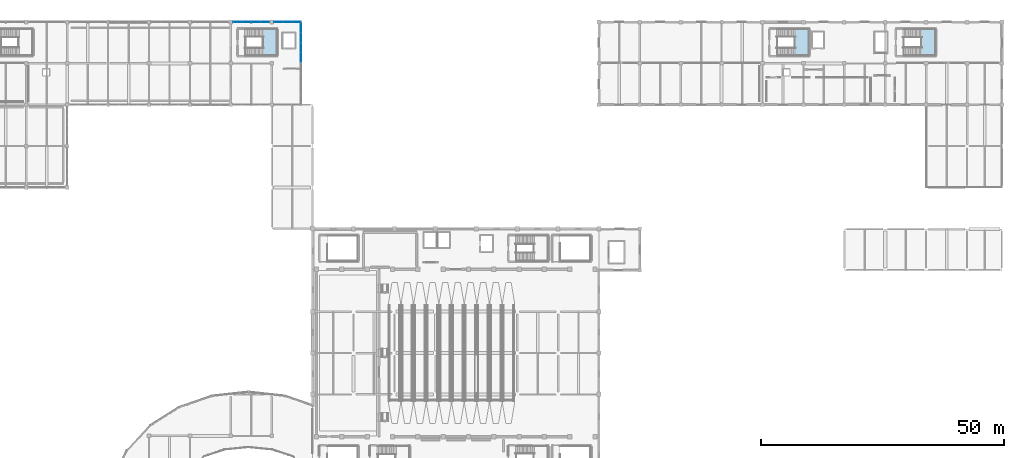
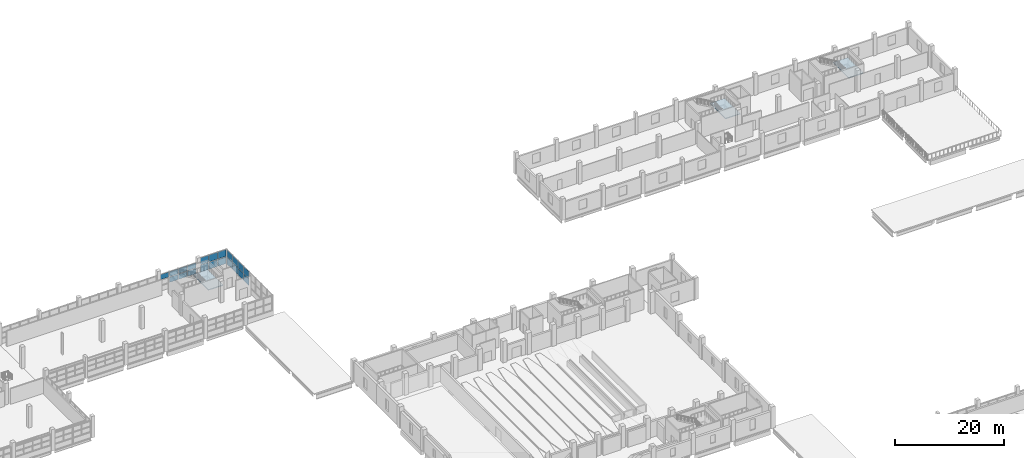
# One storey, part 95 of 117: 21 plates, 3 slabs, 6 elements without a shape of their own.
"""IFC4 building model written with IfcOpenShell, lengths in metres."""

import ifcopenshell
import ifcopenshell.guid

model = None  # the IFC model being written
_history = None  # IfcOwnerHistory: only IFC2X3 demands one
_inside = {}  # id of a spatial element -> (the spatial element, [elements in it])
_under = {}  # id of a project, library or spatial element -> (it, [spatial elements below it])
_declared = {}  # id of a project -> (the project, [libraries it declares])
_typed = {}  # id of a type object -> (the type object, [elements of that type])
_made_of = {}  # id of a material, layer set ... -> (it, [elements and type objects made of it])


def new_model(schema):
    """Start an empty IFC model of exactly this schema.

    Asked for "IFC4X3", IfcOpenShell would pick the latest addendum, in which some entities
    have other attributes; the version numbers below select the first issue.
    IFC2X3 requires an IfcOwnerHistory on every rooted entity: one is made here for all.
    """
    global model, _history
    if schema == "IFC4X3":
        model = ifcopenshell.file(schema_version=(4, 3, 0, 0))
    else:
        model = ifcopenshell.file(schema=schema)
    _inside.clear()
    _under.clear()
    _declared.clear()
    _typed.clear()
    _made_of.clear()
    _history = None
    if model.schema == "IFC2X3":
        org = make("IfcOrganization", Name="unknown")
        user = make(
            "IfcPersonAndOrganization",
            ThePerson=make("IfcPerson", FamilyName="unknown"),
            TheOrganization=org,
        )
        app = make(
            "IfcApplication",
            ApplicationDeveloper=org,
            Version="unknown",
            ApplicationFullName="unknown",
            ApplicationIdentifier="unknown",
        )
        _history = make(
            "IfcOwnerHistory",
            OwningUser=user,
            OwningApplication=app,
            ChangeAction="ADDED",
            CreationDate=0,
        )
    return model


def make(cls, **values):
    """One entity of the class cls with the attributes given. An attribute that is None is left unset."""
    return model.create_entity(
        cls, **{name: value for name, value in values.items() if value is not None}
    )


def rooted(cls, **values):
    """An entity with a GlobalId (a new one), such as an element, a storey or a relation."""
    return make(cls, GlobalId=ifcopenshell.guid.new(), OwnerHistory=_history, **values)


def si_unit(unit_type, name, prefix=None):
    """IfcSIUnit, for example si_unit("LENGTHUNIT", "METRE", prefix="MILLI")."""
    return make("IfcSIUnit", UnitType=unit_type, Prefix=prefix, Name=name)


def assignment(units):
    """IfcUnitAssignment: the units of a project."""
    return None if units is None else make("IfcUnitAssignment", Units=units)


def point(xyz):
    """IfcCartesianPoint."""
    return None if xyz is None else make("IfcCartesianPoint", Coordinates=xyz)


def direction(xyz):
    """IfcDirection."""
    return None if xyz is None else make("IfcDirection", DirectionRatios=xyz)


def frame(location, z_axis=None, x_axis=None):
    """IfcAxis2Placement3D, a coordinate frame: its origin and axes. An axis left out is left unset."""
    return make(
        "IfcAxis2Placement3D",
        Location=point(location),
        Axis=direction(z_axis),
        RefDirection=direction(x_axis),
    )


def frame_2d(location, x_axis=None):
    """IfcAxis2Placement2D, a coordinate frame in the plane: its origin and x axis."""
    return make(
        "IfcAxis2Placement2D", Location=point(location), RefDirection=direction(x_axis)
    )


def origin():
    """The frame at (0, 0, 0) with its axes left unset."""
    return frame((0.0, 0.0, 0.0))


def origin_2d():
    """The frame at (0, 0) in the plane with its x axis left unset."""
    return frame_2d((0.0, 0.0))


def place(relative_to, where):
    """IfcLocalPlacement: puts the frame where relative to a parent placement (None: the world)."""
    return make(
        "IfcLocalPlacement", PlacementRelTo=relative_to, RelativePlacement=where
    )


def context(
    kind, dimensions, precision=None, world=None, true_north=None, identifier=None
):
    """IfcGeometricRepresentationContext, for example the 3D "Model" context."""
    return make(
        "IfcGeometricRepresentationContext",
        ContextIdentifier=identifier,
        ContextType=kind,
        CoordinateSpaceDimension=dimensions,
        Precision=precision,
        WorldCoordinateSystem=world,
        TrueNorth=true_north,
    )


def subcontext(parent, identifier, kind, view, scale=None):
    """IfcGeometricRepresentationSubContext, for example "Body" below "Model"."""
    return make(
        "IfcGeometricRepresentationSubContext",
        ContextIdentifier=identifier,
        ContextType=kind,
        ParentContext=parent,
        TargetScale=scale,
        TargetView=view,
    )


def project(units=None, contexts=None):
    """IfcProject with its units and contexts."""
    return rooted(
        "IfcProject",
        Name="project",
        RepresentationContexts=contexts,
        UnitsInContext=assignment(units),
    )


def spatial(cls, under=None, at=None, **own):
    """A site, building, storey or space (cls), placed at a placement, below another one or the project."""
    s = rooted(cls, ObjectPlacement=at, **own)
    if under is not None:
        _under.setdefault(under.id(), (under, []))[1].append(s)
    return s


def polyline(points):
    """IfcPolyline through the points."""
    return make("IfcPolyline", Points=[point(p) for p in points])


def profile(cls, at=None, kind="AREA", **sizes):
    """A parametric profile (cls). Its sizes go by their IFC names, for example OverallWidth=200.0."""
    return make(cls, ProfileType=kind, Position=at, **sizes)


def rectangle(**sizes):
    """IfcRectangleProfileDef."""
    return profile("IfcRectangleProfileDef", **sizes)


def outline(outer, holes=None, kind="AREA"):
    """IfcArbitraryClosedProfileDef: a profile drawn as a closed curve; with holes, ...WithVoids."""
    if holes is None:
        return make("IfcArbitraryClosedProfileDef", ProfileType=kind, OuterCurve=outer)
    return make(
        "IfcArbitraryProfileDefWithVoids",
        ProfileType=kind,
        OuterCurve=outer,
        InnerCurves=holes,
    )


def extrude(swept, where, along, depth):
    """IfcExtrudedAreaSolid: the profile swept, set in the frame where, extruded along a direction by depth."""
    return make(
        "IfcExtrudedAreaSolid",
        SweptArea=swept,
        Position=where,
        ExtrudedDirection=direction(along),
        Depth=depth,
    )


def shape(context_of_items, identifier, shape_type, items):
    """IfcShapeRepresentation: the items that make up one representation, for example the "Body"."""
    return make(
        "IfcShapeRepresentation",
        ContextOfItems=context_of_items,
        RepresentationIdentifier=identifier,
        RepresentationType=shape_type,
        Items=items,
    )


def material(Name=None, Category=None):
    """IfcMaterial."""
    return make("IfcMaterial", Name=Name, Category=Category)


def layer(
    of_material, thickness, ventilated=None, Name=None, Category=None, Priority=None
):
    """IfcMaterialLayer: one layer of a wall or slab, of a material (None: an air gap)."""
    return make(
        "IfcMaterialLayer",
        Material=of_material,
        LayerThickness=thickness,
        IsVentilated=ventilated,
        Name=Name,
        Category=Category,
        Priority=Priority,
    )


def layer_set(layers, Name=None):
    """IfcMaterialLayerSet."""
    return make("IfcMaterialLayerSet", MaterialLayers=layers, LayerSetName=Name)


def made_of(thing, what):
    """Note that an element or type object is made of a material, layer set ...; save() writes the relation."""
    if what is not None:
        _made_of.setdefault(what.id(), (what, []))[1].append(thing)
    return thing


def type_object(cls, material=None, **own):
    """A type object (cls), such as IfcWallType, which elements share."""
    return made_of(rooted(cls, **own), material)


def element(
    cls,
    number,
    at=None,
    inside=None,
    cuts=None,
    type_object=None,
    material=None,
    context=None,
    identifier="Body",
    shape_type=None,
    held_by="IfcProductDefinitionShape",
    body=None,
    shapes=None,
    **own,
):
    """One element of the class cls, such as IfcWall. Its Tag is "e" and its number.

    at: its placement. inside: the storey or other place that contains it. cuts: it is an
    opening in that element (IfcRelVoidsElement). A single representation is given by context,
    identifier, shape_type and body (its items); several are given by shapes. held_by: the class
    of the entity that holds the representations. save() writes the other relations.
    """
    e = rooted(cls, Tag="e%d" % number, ObjectPlacement=at, **own)
    if body is not None:
        shapes = [shape(context, identifier, shape_type, body)]
    if shapes is not None:
        e.Representation = make(held_by, Representations=shapes)
    if inside is not None:
        _inside.setdefault(inside.id(), (inside, []))[1].append(e)
    if cuts is not None:
        rooted(
            "IfcRelVoidsElement", RelatingBuildingElement=cuts, RelatedOpeningElement=e
        )
    if type_object is not None:
        _typed.setdefault(type_object.id(), (type_object, []))[1].append(e)
    return made_of(e, material)


def aggregate(whole, parts):
    """IfcRelAggregates: a whole, such as a stair, and the parts it consists of."""
    return rooted("IfcRelAggregates", RelatingObject=whole, RelatedObjects=parts)


def save(model, path):
    """Write the relations noted so far, then the file.

    IfcRelAggregates (storeys below a building ...), IfcRelContainedInSpatialStructure (elements
    in a storey), IfcRelDefinesByType, IfcRelAssociatesMaterial and IfcRelDeclares: one each for
    every whole, place, type object, material and project.
    """
    for whole, parts in _under.values():
        aggregate(whole, parts)
    for where, things in _inside.values():
        rooted(
            "IfcRelContainedInSpatialStructure",
            RelatedElements=things,
            RelatingStructure=where,
        )
    for kind, things in _typed.values():
        rooted("IfcRelDefinesByType", RelatedObjects=things, RelatingType=kind)
    for what, things in _made_of.values():
        rooted("IfcRelAssociatesMaterial", RelatedObjects=things, RelatingMaterial=what)
    for by, libraries in _declared.values():
        rooted("IfcRelDeclares", RelatingContext=by, RelatedDefinitions=libraries)
    model.write(path)


model = new_model("IFC4")

# Units and contexts
model_context = context("Model", 3, precision=1e-05, world=origin(), true_north=direction((0.0, 1.0)))
body_context = subcontext(model_context, "Body", "Model", "MODEL_VIEW")
ifc_project = project(units=[si_unit("LENGTHUNIT", "METRE"), si_unit("AREAUNIT", "SQUARE_METRE"), si_unit("VOLUMEUNIT", "CUBIC_METRE"), si_unit("PLANEANGLEUNIT", "RADIAN"), si_unit("MASSUNIT", "GRAM", prefix="KILO")], contexts=[model_context])

# Site, building, storey
site_placement = place(None, origin())
site = spatial("IfcSite", under=ifc_project, at=site_placement, CompositionType="ELEMENT")
building_placement = place(site_placement, origin())
building = spatial("IfcBuilding", under=site, at=building_placement, Name="Solvento Point Concert Hall", CompositionType="ELEMENT")
storey_placement = place(building_placement, frame((0.0, 0.0, 5.39990234375)))
storey = spatial("IfcBuildingStorey", under=building, at=storey_placement, Name="L01", CompositionType="ELEMENT", Elevation=5.39990234375)

# Curtain wall, plates
ifc_material_1 = material(Name="Anodized Bronze Aluminium", Category="aluminium")
curtain_wall_type = type_object("IfcCurtainWallType", Name="CurtainWall_CourtPilotis", PredefinedType="USERDEFINED", material=ifc_material_1)
curtain_wall_1_placement = place(storey_placement, origin())
curtain_wall_1 = element("IfcCurtainWall", 1, at=curtain_wall_1_placement, inside=storey, type_object=curtain_wall_type, Name="Unitised curtain wall CW-96 UCW-L01-130", ObjectType="UNITISED CURTAIN WALL", PredefinedType="USERDEFINED")
ifc_material_2 = material(Name="Hurricane Laminated Low-E Glass", Category="glass")
plate_type = type_object("IfcPlateType", Name="CurtainPanel_CourtPilotis", PredefinedType="CURTAIN_PANEL", material=ifc_material_2)
plate_1_placement = place(storey_placement, frame((58.96875, 136.0, 2.4921875), z_axis=(0.0, 0.0, 1.0), x_axis=(1.0, 0.0, 0.0)))
plate_1 = element("IfcPlate", 2, at=plate_1_placement, type_object=plate_type, Name="Glazed curtain panel GL-06", PredefinedType="CURTAIN_PANEL", context=body_context, shape_type="SweptSolid", body=[
    extrude(rectangle(XDim=1.767578125, YDim=0.030029296875, at=origin_2d()), origin(), (0.0, 0.0, 1.0), 1.132080078125),
])
plate_2_placement = place(storey_placement, frame((60.856201171875, 136.0, 1.240234375), z_axis=(0.0, 0.0, 1.0), x_axis=(1.0, 0.0, 0.0)))
plate_2 = element("IfcPlate", 3, at=plate_2_placement, type_object=plate_type, Name="Glazed curtain panel GL-06", PredefinedType="CURTAIN_PANEL", context=body_context, shape_type="SweptSolid", body=[
    extrude(rectangle(XDim=1.767578125, YDim=0.030029296875, at=origin_2d()), origin(), (0.0, 0.0, 1.0), 1.132080078125),
])
plate_3_placement = place(storey_placement, frame((60.856201171875, 136.0, 2.4921875), z_axis=(0.0, 0.0, 1.0), x_axis=(1.0, 0.0, 0.0)))
plate_3 = element("IfcPlate", 4, at=plate_3_placement, type_object=plate_type, Name="Glazed curtain panel GL-06", PredefinedType="CURTAIN_PANEL", context=body_context, shape_type="SweptSolid", body=[
    extrude(rectangle(XDim=1.767578125, YDim=0.030029296875, at=origin_2d()), origin(), (0.0, 0.0, 1.0), 1.132080078125),
])
plate_4_placement = place(storey_placement, frame((62.74365234375, 136.0, 1.240234375), z_axis=(0.0, 0.0, 1.0), x_axis=(1.0, 0.0, 0.0)))
plate_4 = element("IfcPlate", 5, at=plate_4_placement, type_object=plate_type, Name="Glazed curtain panel GL-06", PredefinedType="CURTAIN_PANEL", context=body_context, shape_type="SweptSolid", body=[
    extrude(rectangle(XDim=1.767578125, YDim=0.030029296875, at=origin_2d()), origin(), (0.0, 0.0, 1.0), 1.132080078125),
])
plate_5_placement = place(storey_placement, frame((62.74365234375, 136.0, 2.4921875), z_axis=(0.0, 0.0, 1.0), x_axis=(1.0, 0.0, 0.0)))
plate_5 = element("IfcPlate", 6, at=plate_5_placement, type_object=plate_type, Name="Glazed curtain panel GL-06", PredefinedType="CURTAIN_PANEL", context=body_context, shape_type="SweptSolid", body=[
    extrude(rectangle(XDim=1.767578125, YDim=0.030029296875, at=origin_2d()), origin(), (0.0, 0.0, 1.0), 1.132080078125),
])
plate_6_placement = place(storey_placement, frame((64.63134765625, 136.0, 1.240234375), z_axis=(0.0, 0.0, 1.0), x_axis=(1.0, 0.0, 0.0)))
plate_6 = element("IfcPlate", 7, at=plate_6_placement, type_object=plate_type, Name="Glazed curtain panel GL-06", PredefinedType="CURTAIN_PANEL", context=body_context, shape_type="SweptSolid", body=[
    extrude(rectangle(XDim=1.767578125, YDim=0.030029296875, at=origin_2d()), origin(), (0.0, 0.0, 1.0), 1.132080078125),
])
plate_7_placement = place(storey_placement, frame((64.63134765625, 136.0, 2.4921875), z_axis=(0.0, 0.0, 1.0), x_axis=(1.0, 0.0, 0.0)))
plate_7 = element("IfcPlate", 8, at=plate_7_placement, type_object=plate_type, Name="Glazed curtain panel GL-06", PredefinedType="CURTAIN_PANEL", context=body_context, shape_type="SweptSolid", body=[
    extrude(rectangle(XDim=1.767578125, YDim=0.030029296875, at=origin_2d()), origin(), (0.0, 0.0, 1.0), 1.132080078125),
])
aggregate(curtain_wall_1, [plate_1, plate_2, plate_3, plate_4, plate_5, plate_6, plate_7])

curtain_wall_2_placement = place(storey_placement, origin())
curtain_wall_2 = element("IfcCurtainWall", 9, at=curtain_wall_2_placement, inside=storey, type_object=curtain_wall_type, Name="Unitised curtain wall CW-96 UCW-L01-131", ObjectType="UNITISED CURTAIN WALL", PredefinedType="USERDEFINED")
plate_8_placement = place(storey_placement, frame((67.34912109375, 136.0, 1.240234375), z_axis=(0.0, 0.0, 1.0), x_axis=(1.0, 0.0, 0.0)))
plate_8 = element("IfcPlate", 10, at=plate_8_placement, type_object=plate_type, Name="Glazed curtain panel GL-06", PredefinedType="CURTAIN_PANEL", context=body_context, shape_type="SweptSolid", body=[
    extrude(rectangle(XDim=1.728271484375, YDim=0.030029296875, at=origin_2d()), origin(), (0.0, 0.0, 1.0), 1.52490234375),
])
plate_9_placement = place(storey_placement, frame((67.34912109375, 136.0, 2.88525390625), z_axis=(0.0, 0.0, 1.0), x_axis=(1.0, 0.0, 0.0)))
plate_9 = element("IfcPlate", 11, at=plate_9_placement, type_object=plate_type, Name="Glazed curtain panel GL-06", PredefinedType="CURTAIN_PANEL", context=body_context, shape_type="SweptSolid", body=[
    extrude(rectangle(XDim=1.728271484375, YDim=0.030029296875, at=origin_2d()), origin(), (0.0, 0.0, 1.0), 1.52490234375),
])
plate_10_placement = place(storey_placement, frame((69.197509765625, 136.0, 1.240234375), z_axis=(0.0, 0.0, 1.0), x_axis=(1.0, 0.0, 0.0)))
plate_10 = element("IfcPlate", 12, at=plate_10_placement, type_object=plate_type, Name="Glazed curtain panel GL-06", PredefinedType="CURTAIN_PANEL", context=body_context, shape_type="SweptSolid", body=[
    extrude(rectangle(XDim=1.728271484375, YDim=0.030029296875, at=origin_2d()), origin(), (0.0, 0.0, 1.0), 1.52490234375),
])
plate_11_placement = place(storey_placement, frame((69.197509765625, 136.0, 2.88525390625), z_axis=(0.0, 0.0, 1.0), x_axis=(1.0, 0.0, 0.0)))
plate_11 = element("IfcPlate", 13, at=plate_11_placement, type_object=plate_type, Name="Glazed curtain panel GL-06", PredefinedType="CURTAIN_PANEL", context=body_context, shape_type="SweptSolid", body=[
    extrude(rectangle(XDim=1.728271484375, YDim=0.030029296875, at=origin_2d()), origin(), (0.0, 0.0, 1.0), 1.52490234375),
])
plate_12_placement = place(storey_placement, frame((71.0458984375, 136.0, 1.240234375), z_axis=(0.0, 0.0, 1.0), x_axis=(1.0, 0.0, 0.0)))
plate_12 = element("IfcPlate", 14, at=plate_12_placement, type_object=plate_type, Name="Glazed curtain panel GL-06", PredefinedType="CURTAIN_PANEL", context=body_context, shape_type="SweptSolid", body=[
    extrude(rectangle(XDim=1.728271484375, YDim=0.030029296875, at=origin_2d()), origin(), (0.0, 0.0, 1.0), 1.52490234375),
])
plate_13_placement = place(storey_placement, frame((71.0458984375, 136.0, 2.88525390625), z_axis=(0.0, 0.0, 1.0), x_axis=(1.0, 0.0, 0.0)))
plate_13 = element("IfcPlate", 15, at=plate_13_placement, type_object=plate_type, Name="Glazed curtain panel GL-06", PredefinedType="CURTAIN_PANEL", context=body_context, shape_type="SweptSolid", body=[
    extrude(rectangle(XDim=1.728271484375, YDim=0.030029296875, at=origin_2d()), origin(), (0.0, 0.0, 1.0), 1.52490234375),
])
aggregate(curtain_wall_2, [plate_8, plate_9, plate_10, plate_11, plate_12, plate_13])

curtain_wall_3_placement = place(storey_placement, origin())
curtain_wall_3 = element("IfcCurtainWall", 16, at=curtain_wall_3_placement, inside=storey, type_object=curtain_wall_type, Name="Unitised curtain wall CW-96 UCW-L01-133", ObjectType="UNITISED CURTAIN WALL", PredefinedType="USERDEFINED")
plate_14_placement = place(storey_placement, frame((72.0, 128.7275390625, 1.240234375), z_axis=(0.0, 0.0, 1.0), x_axis=(0.0, 1.0, 0.0)))
plate_14 = element("IfcPlate", 17, at=plate_14_placement, type_object=plate_type, Name="Glazed curtain panel GL-06", PredefinedType="CURTAIN_PANEL", context=body_context, shape_type="SweptSolid", body=[
    extrude(rectangle(XDim=1.89501953125, YDim=0.030029296875, at=origin_2d()), origin(), (0.0, 0.0, 1.0), 1.52490234375),
])
plate_15_placement = place(storey_placement, frame((72.0, 128.7275390625, 2.88525390625), z_axis=(0.0, 0.0, 1.0), x_axis=(0.0, 1.0, 0.0)))
plate_15 = element("IfcPlate", 18, at=plate_15_placement, type_object=plate_type, Name="Glazed curtain panel GL-06", PredefinedType="CURTAIN_PANEL", context=body_context, shape_type="SweptSolid", body=[
    extrude(rectangle(XDim=1.89501953125, YDim=0.030029296875, at=origin_2d()), origin(), (0.0, 0.0, 1.0), 1.52490234375),
])
plate_16_placement = place(storey_placement, frame((72.0, 130.742431640625, 1.240234375), z_axis=(0.0, 0.0, 1.0), x_axis=(0.0, 1.0, 0.0)))
plate_16 = element("IfcPlate", 19, at=plate_16_placement, type_object=plate_type, Name="Glazed curtain panel GL-06", PredefinedType="CURTAIN_PANEL", context=body_context, shape_type="SweptSolid", body=[
    extrude(rectangle(XDim=1.89501953125, YDim=0.030029296875, at=origin_2d()), origin(), (0.0, 0.0, 1.0), 1.52490234375),
])
plate_17_placement = place(storey_placement, frame((72.0, 130.742431640625, 2.88525390625), z_axis=(0.0, 0.0, 1.0), x_axis=(0.0, 1.0, 0.0)))
plate_17 = element("IfcPlate", 20, at=plate_17_placement, type_object=plate_type, Name="Glazed curtain panel GL-06", PredefinedType="CURTAIN_PANEL", context=body_context, shape_type="SweptSolid", body=[
    extrude(rectangle(XDim=1.89501953125, YDim=0.030029296875, at=origin_2d()), origin(), (0.0, 0.0, 1.0), 1.52490234375),
])
plate_18_placement = place(storey_placement, frame((72.0, 132.757568359375, 1.240234375), z_axis=(0.0, 0.0, 1.0), x_axis=(0.0, 1.0, 0.0)))
plate_18 = element("IfcPlate", 21, at=plate_18_placement, type_object=plate_type, Name="Glazed curtain panel GL-06", PredefinedType="CURTAIN_PANEL", context=body_context, shape_type="SweptSolid", body=[
    extrude(rectangle(XDim=1.89501953125, YDim=0.030029296875, at=origin_2d()), origin(), (0.0, 0.0, 1.0), 1.52490234375),
])
plate_19_placement = place(storey_placement, frame((72.0, 132.757568359375, 2.88525390625), z_axis=(0.0, 0.0, 1.0), x_axis=(0.0, 1.0, 0.0)))
plate_19 = element("IfcPlate", 22, at=plate_19_placement, type_object=plate_type, Name="Glazed curtain panel GL-06", PredefinedType="CURTAIN_PANEL", context=body_context, shape_type="SweptSolid", body=[
    extrude(rectangle(XDim=1.89501953125, YDim=0.030029296875, at=origin_2d()), origin(), (0.0, 0.0, 1.0), 1.52490234375),
])
plate_20_placement = place(storey_placement, frame((72.0, 134.7724609375, 1.240234375), z_axis=(0.0, 0.0, 1.0), x_axis=(0.0, 1.0, 0.0)))
plate_20 = element("IfcPlate", 23, at=plate_20_placement, type_object=plate_type, Name="Glazed curtain panel GL-06", PredefinedType="CURTAIN_PANEL", context=body_context, shape_type="SweptSolid", body=[
    extrude(rectangle(XDim=1.89501953125, YDim=0.030029296875, at=origin_2d()), origin(), (0.0, 0.0, 1.0), 1.52490234375),
])
plate_21_placement = place(storey_placement, frame((72.0, 134.7724609375, 2.88525390625), z_axis=(0.0, 0.0, 1.0), x_axis=(0.0, 1.0, 0.0)))
plate_21 = element("IfcPlate", 24, at=plate_21_placement, type_object=plate_type, Name="Glazed curtain panel GL-06", PredefinedType="CURTAIN_PANEL", context=body_context, shape_type="SweptSolid", body=[
    extrude(rectangle(XDim=1.89501953125, YDim=0.030029296875, at=origin_2d()), origin(), (0.0, 0.0, 1.0), 1.52490234375),
])
aggregate(curtain_wall_3, [plate_14, plate_15, plate_16, plate_17, plate_18, plate_19, plate_20, plate_21])

# Stair, slab
ifc_material_3 = material(Name="Concrete C35/45", Category="concrete")
stair_type_1 = type_object("IfcStairType", Name="CoreStair_1600", PredefinedType="HALF_TURN_STAIR", material=ifc_material_3)
stair_1_placement = place(storey_placement, origin())
stair_1 = element("IfcStair", 25, at=stair_1_placement, inside=storey, type_object=stair_type_1, Name="Protected exit stair ST-01 (L01 to L02)", PredefinedType="HALF_TURN_STAIR")
ifc_material_4 = material(Name="Concrete C35/45", Category="concrete")
ifc_layer = layer(ifc_material_4, 0.179931640625)
ifc_layer_set = layer_set([ifc_layer], Name="Concrete C35/45")
slab_type = type_object("IfcSlabType", Name="StairLanding_180", PredefinedType="LANDING", material=ifc_layer_set)
slab_1_placement = place(storey_placement, frame((0.0, 0.0, 2.22021484375)))
slab_1 = element("IfcSlab", 26, at=slab_1_placement, type_object=slab_type, Name="Stair half-landing ST-01 L01", PredefinedType="LANDING", context=body_context, shape_type="SweptSolid", body=[
    extrude(outline(polyline([(173.320068359375, 128.9599609375), (176.43994140625, 128.9599609375), (176.43994140625, 134.639892578125), (173.320068359375, 134.639892578125), (173.320068359375, 128.9599609375)])), origin(), (0.0, 0.0, 1.0), 0.179931640625),
])
aggregate(stair_1, [slab_1])

ifc_material_5 = material(Name="Concrete C35/45", Category="concrete")
stair_type_2 = type_object("IfcStairType", Name="CoreStair_1680", PredefinedType="HALF_TURN_STAIR", material=ifc_material_5)
stair_2_placement = place(storey_placement, origin())
stair_2 = element("IfcStair", 27, at=stair_2_placement, inside=storey, type_object=stair_type_2, Name="Protected exit stair ST-02 (L01 to L02)", PredefinedType="HALF_TURN_STAIR")
slab_2_placement = place(storey_placement, frame((0.0, 0.0, 2.22021484375)))
slab_2 = element("IfcSlab", 28, at=slab_2_placement, type_object=slab_type, Name="Stair half-landing ST-02 L01", PredefinedType="LANDING", context=body_context, shape_type="SweptSolid", body=[
    extrude(outline(polyline([(199.320068359375, 128.9599609375), (202.43994140625, 128.9599609375), (202.43994140625, 134.639892578125), (199.320068359375, 134.639892578125), (199.320068359375, 128.9599609375)])), origin(), (0.0, 0.0, 1.0), 0.179931640625),
])
aggregate(stair_2, [slab_2])

stair_3_placement = place(storey_placement, origin())
stair_3 = element("IfcStair", 29, at=stair_3_placement, inside=storey, type_object=stair_type_1, Name="Protected exit stair ST-04 (L01 to L02)", PredefinedType="HALF_TURN_STAIR")
slab_3_placement = place(storey_placement, frame((0.0, 0.0, 2.22021484375)))
slab_3 = element("IfcSlab", 30, at=slab_3_placement, type_object=slab_type, Name="Stair half-landing ST-04 L01", PredefinedType="LANDING", context=body_context, shape_type="SweptSolid", body=[
    extrude(outline(polyline([(64.1201171875, 128.9599609375), (67.239990234375, 128.9599609375), (67.239990234375, 134.639892578125), (64.1201171875, 134.639892578125), (64.1201171875, 128.9599609375)])), origin(), (0.0, 0.0, 1.0), 0.179931640625),
])
aggregate(stair_3, [slab_3])

save(model, "model.ifc")
